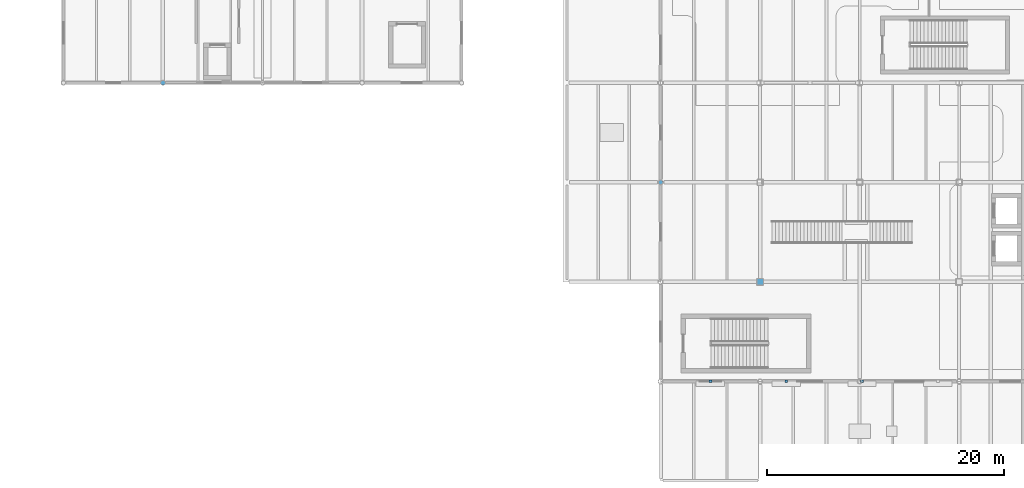
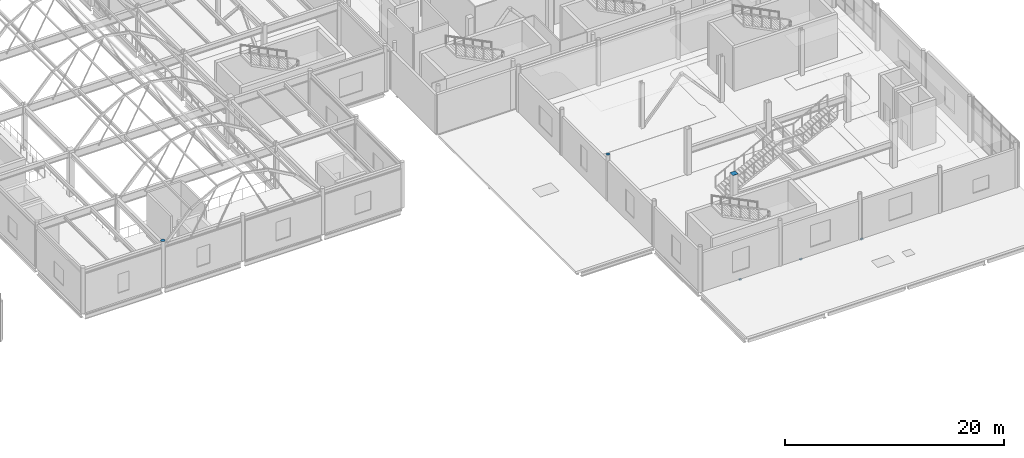
# One storey, part 73 of 103: 6 discrete accessories.
"""IFC4 building model written with IfcOpenShell, lengths in metres."""

from ifc_helpers import new_model, si_unit, direction, frame, origin, origin_2d, place, context, subcontext, project, spatial, rectangle, circle, extrude, material, type_object, element, save


model = new_model("IFC4")

# Units and contexts
model_context = context("Model", 3, precision=1e-05, world=origin(), true_north=direction((0.0, 1.0)))
body_context = subcontext(model_context, "Body", "Model", "MODEL_VIEW")
ifc_project = project(units=[si_unit("LENGTHUNIT", "METRE"), si_unit("AREAUNIT", "SQUARE_METRE"), si_unit("VOLUMEUNIT", "CUBIC_METRE"), si_unit("PLANEANGLEUNIT", "RADIAN"), si_unit("MASSUNIT", "GRAM", prefix="KILO"), si_unit("THERMODYNAMICTEMPERATUREUNIT", "KELVIN")], contexts=[model_context])

# Site, building, storey
site_placement = place(None, origin())
site = spatial("IfcSite", under=ifc_project, at=site_placement, CompositionType="ELEMENT")
building_placement = place(site_placement, origin())
building = spatial("IfcBuilding", under=site, at=building_placement, Name="Lustrewick Department Store", CompositionType="ELEMENT")
storey_placement = place(building_placement, frame((0.0, 0.0, 16.5)))
storey = spatial("IfcBuildingStorey", under=building, at=storey_placement, Name="L04", CompositionType="ELEMENT", Elevation=16.5)

# Discrete accessories
ifc_material_1 = material(Name="Anodized filigree aluminium 6061-T6", Category="aluminium")
discrete_accessory_type_1 = type_object("IfcDiscreteAccessoryType", Name="BRK-FIL", PredefinedType="BRACKET", material=ifc_material_1)
for number, where, z_axis, x_axis, name in (
    (1, (121.800048828125, 16.800048828125, -0.18994140625), (0.0, 0.0, 1.0), (1.0, 0.0, 0.0), "L04 Sun Louvre Bracket 09"),
    (2, (128.199951171875, 16.800048828125, -0.18994140625), (0.0, 0.0, 1.0), (1.0, 0.0, 0.0), "L04 Sun Louvre Bracket 10"),
    (3, (134.60009765625, 16.800048828125, -0.18994140625), (0.0, 0.0, 1.0), (1.0, 0.0, 0.0), "L04 Sun Louvre Bracket 11"),
):
    element("IfcDiscreteAccessory", number, at=place(storey_placement, frame(where, z_axis=z_axis, x_axis=x_axis)), inside=storey, type_object=discrete_accessory_type_1, Name=name, PredefinedType="BRACKET", context=body_context, shape_type="SweptSolid", body=[
        extrude(rectangle(XDim=0.239990234375, YDim=0.199951171875, at=origin_2d()), origin(), (0.0, 0.0, 1.0), 0.139892578125),
    ])
ifc_material_2 = material(Name="Structural steel Q355C", Category="steel")
discrete_accessory_type_2 = type_object("IfcDiscreteAccessoryType", Name="ECP-01", PredefinedType="USERDEFINED", material=ifc_material_2)
discrete_accessory_1_placement = place(storey_placement, frame((75.60009765625, 42.0, 5.093994140625), z_axis=(0.0, 0.0, 1.0), x_axis=(1.0, 0.0, 0.0)))
element("IfcDiscreteAccessory", 4, at=discrete_accessory_1_placement, inside=storey, type_object=discrete_accessory_type_2, Name="L04 Welded Hollow-Section End-Cap Plate ECP-01", ObjectType="END_CAP_PLATE", PredefinedType="USERDEFINED", context=body_context, shape_type="SweptSolid", body=[
    extrude(circle(Radius=0.202880859375, at=origin_2d()), origin(), (0.0, 0.0, 1.0), 0.01611328125),
])
discrete_accessory_2_placement = place(storey_placement, frame((117.60009765625, 33.60009765625, 5.093994140625), z_axis=(0.0, 0.0, 1.0), x_axis=(1.0, 0.0, 0.0)))
element("IfcDiscreteAccessory", 5, at=discrete_accessory_2_placement, inside=storey, type_object=discrete_accessory_type_2, Name="L04 Welded Hollow-Section End-Cap Plate ECP-01", ObjectType="END_CAP_PLATE", PredefinedType="USERDEFINED", context=body_context, shape_type="SweptSolid", body=[
    extrude(circle(Radius=0.1884765625, at=origin_2d()), origin(), (0.0, 0.0, 1.0), 0.01611328125),
])
discrete_accessory_3_placement = place(storey_placement, frame((126.0, 25.199951171875, 5.093994140625), z_axis=(0.0, 0.0, 1.0), x_axis=(1.0, 0.0, 0.0)))
element("IfcDiscreteAccessory", 6, at=discrete_accessory_3_placement, inside=storey, type_object=discrete_accessory_type_2, Name="L04 Welded Hollow-Section End-Cap Plate ECP-01", ObjectType="END_CAP_PLATE", PredefinedType="USERDEFINED", context=body_context, shape_type="SweptSolid", body=[
    extrude(rectangle(XDim=0.550048828125, YDim=0.550048828125, at=origin_2d()), origin(), (0.0, 0.0, 1.0), 0.01611328125),
])

save(model, "model.ifc")
